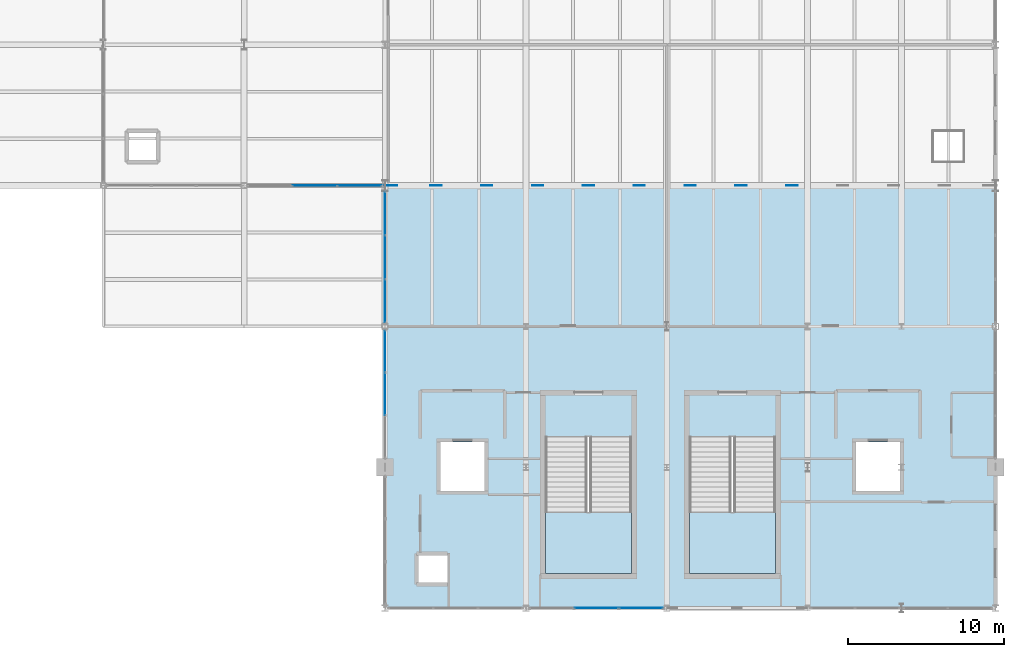
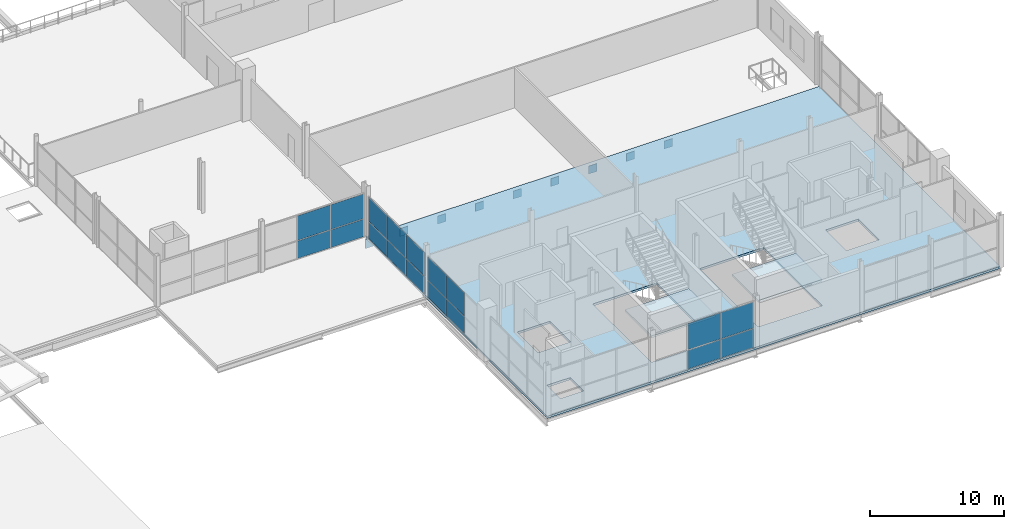
# One storey, part 41 of 69: 27 plates, 3 slabs, 6 elements without a shape of their own.
"""IFC4 building model written with IfcOpenShell, lengths in metres."""

from ifc_helpers import new_model, si_unit, direction, frame, origin, origin_2d, place, context, subcontext, project, spatial, polyline, rectangle, outline, extrude, material, layer, layer_set, type_object, element, aggregate, save


model = new_model("IFC4")

# Units and contexts
model_context = context("Model", 3, precision=1e-05, world=origin(), true_north=direction((0.0, 1.0)))
body_context = subcontext(model_context, "Body", "Model", "MODEL_VIEW")
ifc_project = project(units=[si_unit("LENGTHUNIT", "METRE"), si_unit("AREAUNIT", "SQUARE_METRE"), si_unit("VOLUMEUNIT", "CUBIC_METRE"), si_unit("PLANEANGLEUNIT", "RADIAN"), si_unit("MASSUNIT", "GRAM", prefix="KILO")], contexts=[model_context])

# Site, building, storey
site_placement = place(None, origin())
site = spatial("IfcSite", under=ifc_project, at=site_placement, CompositionType="ELEMENT")
building_placement = place(site_placement, origin())
building = spatial("IfcBuilding", under=site, at=building_placement, Name="Qamarlyn Nura Convention Centre", CompositionType="ELEMENT")
storey_placement = place(building_placement, frame((0.0, 0.0, 15.60009765625)))
storey = spatial("IfcBuildingStorey", under=building, at=storey_placement, Name="L03", CompositionType="ELEMENT", Elevation=15.60009765625)

# Curtain wall, plates
ifc_material_1 = material(Name="Double-silver low-E insulated glass", Category="glass")
ifc_layer_1 = layer(ifc_material_1, 0.179931640625, Name="CW-UNIT-119")
ifc_layer_set_1 = layer_set([ifc_layer_1], Name="Double-silver low-E insulated glass")
curtain_wall_type_1 = type_object("IfcCurtainWallType", Name="CW-UNIT-119", PredefinedType="NOTDEFINED", material=ifc_layer_set_1)
curtain_wall_1_placement = place(storey_placement, origin())
curtain_wall_1 = element("IfcCurtainWall", 1, at=curtain_wall_1_placement, inside=storey, type_object=curtain_wall_type_1, Name="L03 unitised curtain wall STH-2-1", PredefinedType="NOTDEFINED")
ifc_layer_2 = layer(ifc_material_1, 0.028076171875, Name="CWP-VIS-28")
ifc_layer_set_2 = layer_set([ifc_layer_2], Name="Double-silver low-E insulated glass")
plate_type_1 = type_object("IfcPlateType", Name="CWP-VIS-28", PredefinedType="CURTAIN_PANEL", material=ifc_layer_set_2)
plate_1_placement = place(storey_placement, frame((169.35986328125, 0.0, 0.06982421875), z_axis=(0.0, 0.0, 1.0), x_axis=(-1.0, 0.0, 0.0)))
plate_1 = element("IfcPlate", 2, at=plate_1_placement, type_object=plate_type_1, Name="CW119 panel 1.1", PredefinedType="CURTAIN_PANEL", context=body_context, shape_type="SweptSolid", body=[
    extrude(rectangle(XDim=2.76611328125, YDim=0.028076171875, at=origin_2d()), origin(), (0.0, 0.0, 1.0), 1.695068359375),
])
plate_2_placement = place(storey_placement, frame((169.35986328125, 0.0, 1.8349609375), z_axis=(0.0, 0.0, 1.0), x_axis=(-1.0, 0.0, 0.0)))
plate_2 = element("IfcPlate", 3, at=plate_2_placement, type_object=plate_type_1, Name="CW119 panel 1.2", PredefinedType="CURTAIN_PANEL", context=body_context, shape_type="SweptSolid", body=[
    extrude(rectangle(XDim=2.76611328125, YDim=0.028076171875, at=origin_2d()), origin(), (0.0, 0.0, 1.0), 2.3798828125),
])
plate_3_placement = place(storey_placement, frame((166.50634765625, 0.0, 0.06982421875), z_axis=(0.0, 0.0, 1.0), x_axis=(-1.0, 0.0, 0.0)))
plate_3 = element("IfcPlate", 4, at=plate_3_placement, type_object=plate_type_1, Name="CW119 panel 2.1", PredefinedType="CURTAIN_PANEL", context=body_context, shape_type="SweptSolid", body=[
    extrude(rectangle(XDim=2.80126953125, YDim=0.028076171875, at=origin_2d()), origin(), (0.0, 0.0, 1.0), 1.695068359375),
])
plate_4_placement = place(storey_placement, frame((166.50634765625, 0.0, 1.8349609375), z_axis=(0.0, 0.0, 1.0), x_axis=(-1.0, 0.0, 0.0)))
plate_4 = element("IfcPlate", 5, at=plate_4_placement, type_object=plate_type_1, Name="CW119 panel 2.2", PredefinedType="CURTAIN_PANEL", context=body_context, shape_type="SweptSolid", body=[
    extrude(rectangle(XDim=2.80126953125, YDim=0.028076171875, at=origin_2d()), origin(), (0.0, 0.0, 1.0), 2.3798828125),
])
aggregate(curtain_wall_1, [plate_1, plate_2, plate_3, plate_4])

ifc_layer_3 = layer(ifc_material_1, 0.179931640625, Name="CW-UNIT-122")
ifc_layer_set_3 = layer_set([ifc_layer_3], Name="Double-silver low-E insulated glass")
curtain_wall_type_2 = type_object("IfcCurtainWallType", Name="CW-UNIT-122", PredefinedType="NOTDEFINED", material=ifc_layer_set_3)
curtain_wall_2_placement = place(storey_placement, origin())
curtain_wall_2 = element("IfcCurtainWall", 6, at=curtain_wall_2_placement, inside=storey, type_object=curtain_wall_type_2, Name="L03 unitised curtain wall FCW-9-1", PredefinedType="NOTDEFINED")
plate_5_placement = place(storey_placement, frame((153.0, 13.675048828125, 0.06494140625), z_axis=(0.0, 0.0, 1.0), x_axis=(0.0, 1.0, 0.0)))
plate_5 = element("IfcPlate", 7, at=plate_5_placement, type_object=plate_type_1, Name="CW122 panel 2.1", PredefinedType="CURTAIN_PANEL", context=body_context, shape_type="SweptSolid", body=[
    extrude(rectangle(XDim=2.68505859375, YDim=0.028076171875, at=origin_2d()), origin(), (0.0, 0.0, 1.0), 1.50341796875),
])
plate_6_placement = place(storey_placement, frame((153.0, 13.675048828125, 1.63330078125), z_axis=(0.0, 0.0, 1.0), x_axis=(0.0, 1.0, 0.0)))
plate_6 = element("IfcPlate", 8, at=plate_6_placement, type_object=plate_type_1, Name="CW122 panel 2.2", PredefinedType="CURTAIN_PANEL", context=body_context, shape_type="SweptSolid", body=[
    extrude(rectangle(XDim=2.68505859375, YDim=0.028076171875, at=origin_2d()), origin(), (0.0, 0.0, 1.0), 2.113525390625),
])
plate_7_placement = place(storey_placement, frame((153.0, 16.40869140625, 0.06494140625), z_axis=(0.0, 0.0, 1.0), x_axis=(0.0, 1.0, 0.0)))
plate_7 = element("IfcPlate", 9, at=plate_7_placement, type_object=plate_type_1, Name="CW122 panel 3.1", PredefinedType="CURTAIN_PANEL", context=body_context, shape_type="SweptSolid", body=[
    extrude(rectangle(XDim=2.652587890625, YDim=0.028076171875, at=origin_2d()), origin(), (0.0, 0.0, 1.0), 1.50341796875),
])
plate_8_placement = place(storey_placement, frame((153.0, 16.40869140625, 1.63330078125), z_axis=(0.0, 0.0, 1.0), x_axis=(0.0, 1.0, 0.0)))
plate_8 = element("IfcPlate", 10, at=plate_8_placement, type_object=plate_type_1, Name="CW122 panel 3.2", PredefinedType="CURTAIN_PANEL", context=body_context, shape_type="SweptSolid", body=[
    extrude(rectangle(XDim=2.652587890625, YDim=0.028076171875, at=origin_2d()), origin(), (0.0, 0.0, 1.0), 2.113525390625),
])
aggregate(curtain_wall_2, [plate_5, plate_6, plate_7, plate_8])

ifc_layer_4 = layer(ifc_material_1, 0.179931640625, Name="CW-UNIT-126")
ifc_layer_set_4 = layer_set([ifc_layer_4], Name="Double-silver low-E insulated glass")
curtain_wall_type_3 = type_object("IfcCurtainWallType", Name="CW-UNIT-126", PredefinedType="NOTDEFINED", material=ifc_layer_set_4)
curtain_wall_3_placement = place(storey_placement, origin())
curtain_wall_3 = element("IfcCurtainWall", 11, at=curtain_wall_3_placement, inside=storey, type_object=curtain_wall_type_3, Name="L03 unitised curtain wall WSS-L03-1", PredefinedType="NOTDEFINED")
plate_9_placement = place(storey_placement, frame((151.3662109375, 27.0, 0.06005859375), z_axis=(0.0, 0.0, 1.0), x_axis=(-1.0, 0.0, 0.0)))
plate_9 = element("IfcPlate", 12, at=plate_9_placement, type_object=plate_type_1, Name="CW126 panel 1.1", PredefinedType="CURTAIN_PANEL", context=body_context, shape_type="SweptSolid", body=[
    extrude(rectangle(XDim=2.79248046875, YDim=0.028076171875, at=origin_2d()), origin(), (0.0, 0.0, 1.0), 1.595947265625),
])
plate_10_placement = place(storey_placement, frame((151.3662109375, 27.0, 1.7158203125), z_axis=(0.0, 0.0, 1.0), x_axis=(-1.0, 0.0, 0.0)))
plate_10 = element("IfcPlate", 13, at=plate_10_placement, type_object=plate_type_1, Name="CW126 panel 1.2", PredefinedType="CURTAIN_PANEL", context=body_context, shape_type="SweptSolid", body=[
    extrude(rectangle(XDim=2.79248046875, YDim=0.028076171875, at=origin_2d()), origin(), (0.0, 0.0, 1.0), 2.238037109375),
])
plate_11_placement = place(storey_placement, frame((148.498779296875, 27.0, 0.06005859375), z_axis=(0.0, 0.0, 1.0), x_axis=(-1.0, 0.0, 0.0)))
plate_11 = element("IfcPlate", 14, at=plate_11_placement, type_object=plate_type_1, Name="CW126 panel 2.1", PredefinedType="CURTAIN_PANEL", context=body_context, shape_type="SweptSolid", body=[
    extrude(rectangle(XDim=2.822509765625, YDim=0.028076171875, at=origin_2d()), origin(), (0.0, 0.0, 1.0), 1.595947265625),
])
plate_12_placement = place(storey_placement, frame((148.498779296875, 27.0, 1.7158203125), z_axis=(0.0, 0.0, 1.0), x_axis=(-1.0, 0.0, 0.0)))
plate_12 = element("IfcPlate", 15, at=plate_12_placement, type_object=plate_type_1, Name="CW126 panel 2.2", PredefinedType="CURTAIN_PANEL", context=body_context, shape_type="SweptSolid", body=[
    extrude(rectangle(XDim=2.822509765625, YDim=0.028076171875, at=origin_2d()), origin(), (0.0, 0.0, 1.0), 2.238037109375),
])
aggregate(curtain_wall_3, [plate_9, plate_10, plate_11, plate_12])

ifc_layer_5 = layer(ifc_material_1, 0.179931640625, Name="CW-UNIT-123")
ifc_layer_set_5 = layer_set([ifc_layer_5], Name="Double-silver low-E insulated glass")
curtain_wall_type_4 = type_object("IfcCurtainWallType", Name="CW-UNIT-123", PredefinedType="NOTDEFINED", material=ifc_layer_set_5)
curtain_wall_4_placement = place(storey_placement, origin())
curtain_wall_4 = element("IfcCurtainWall", 16, at=curtain_wall_4_placement, inside=storey, type_object=curtain_wall_type_4, Name="L03 unitised curtain wall FCW-18-1", PredefinedType="NOTDEFINED")
ifc_layer_6 = layer(ifc_material_1, 0.031982421875, Name="CWP-VIS-32")
ifc_layer_set_6 = layer_set([ifc_layer_6], Name="Double-silver low-E insulated glass")
plate_type_2 = type_object("IfcPlateType", Name="CWP-VIS-32", PredefinedType="CURTAIN_PANEL", material=ifc_layer_set_6)
plate_13_placement = place(storey_placement, frame((153.0, 19.623779296875, 0.059814453125), z_axis=(0.0, 0.0, 1.0), x_axis=(0.0, 1.0, 0.0)))
plate_13 = element("IfcPlate", 17, at=plate_13_placement, type_object=plate_type_2, Name="CW123 panel 1.1", PredefinedType="CURTAIN_PANEL", context=body_context, shape_type="SweptSolid", body=[
    extrude(rectangle(XDim=2.7275390625, YDim=0.031982421875, at=origin_2d()), origin(), (0.0, 0.0, 1.0), 1.5439453125),
])
plate_14_placement = place(storey_placement, frame((153.0, 19.623779296875, 1.663818359375), z_axis=(0.0, 0.0, 1.0), x_axis=(0.0, 1.0, 0.0)))
plate_14 = element("IfcPlate", 18, at=plate_14_placement, type_object=plate_type_2, Name="CW123 panel 1.2", PredefinedType="CURTAIN_PANEL", context=body_context, shape_type="SweptSolid", body=[
    extrude(rectangle(XDim=2.7275390625, YDim=0.031982421875, at=origin_2d()), origin(), (0.0, 0.0, 1.0), 2.166015625),
])
plate_15_placement = place(storey_placement, frame((153.0, 22.42626953125, 0.059814453125), z_axis=(0.0, 0.0, 1.0), x_axis=(0.0, 1.0, 0.0)))
plate_15 = element("IfcPlate", 19, at=plate_15_placement, type_object=plate_type_2, Name="CW123 panel 2.1", PredefinedType="CURTAIN_PANEL", context=body_context, shape_type="SweptSolid", body=[
    extrude(rectangle(XDim=2.757568359375, YDim=0.031982421875, at=origin_2d()), origin(), (0.0, 0.0, 1.0), 1.5439453125),
])
plate_16_placement = place(storey_placement, frame((153.0, 22.42626953125, 1.663818359375), z_axis=(0.0, 0.0, 1.0), x_axis=(0.0, 1.0, 0.0)))
plate_16 = element("IfcPlate", 20, at=plate_16_placement, type_object=plate_type_2, Name="CW123 panel 2.2", PredefinedType="CURTAIN_PANEL", context=body_context, shape_type="SweptSolid", body=[
    extrude(rectangle(XDim=2.757568359375, YDim=0.031982421875, at=origin_2d()), origin(), (0.0, 0.0, 1.0), 2.166015625),
])
plate_17_placement = place(storey_placement, frame((153.0, 25.228759765625, 0.059814453125), z_axis=(0.0, 0.0, 1.0), x_axis=(0.0, 1.0, 0.0)))
plate_17 = element("IfcPlate", 21, at=plate_17_placement, type_object=plate_type_2, Name="CW123 panel 3.1", PredefinedType="CURTAIN_PANEL", context=body_context, shape_type="SweptSolid", body=[
    extrude(rectangle(XDim=2.7275390625, YDim=0.031982421875, at=origin_2d()), origin(), (0.0, 0.0, 1.0), 1.5439453125),
])
plate_18_placement = place(storey_placement, frame((153.0, 25.228759765625, 1.663818359375), z_axis=(0.0, 0.0, 1.0), x_axis=(0.0, 1.0, 0.0)))
plate_18 = element("IfcPlate", 22, at=plate_18_placement, type_object=plate_type_2, Name="CW123 panel 3.2", PredefinedType="CURTAIN_PANEL", context=body_context, shape_type="SweptSolid", body=[
    extrude(rectangle(XDim=2.7275390625, YDim=0.031982421875, at=origin_2d()), origin(), (0.0, 0.0, 1.0), 2.166015625),
])
aggregate(curtain_wall_4, [plate_13, plate_14, plate_15, plate_16, plate_17, plate_18])

# Plates
ifc_material_2 = material(Name="Structural steel ASTM A572 Grade 50", Category="steel")
ifc_layer_7 = layer(ifc_material_2, 0.044921875, Name="GP-TN1")
ifc_layer_set_7 = layer_set([ifc_layer_7], Name="Structural steel ASTM A572 Grade 50")
plate_type_3 = type_object("IfcPlateType", Name="GP-TN1", PredefinedType="USERDEFINED", material=ifc_layer_set_7)
for number, where, z_axis, x_axis, name in (
    (23, (156.25, 27.0, -1.01611328125), (0.0, 0.0, 1.0), (1.0, 0.0, 0.0), "Transfer truss apex gusset plate D-P1T"),
    (24, (162.75, 27.0, -1.01611328125), (0.0, 0.0, 1.0), (1.0, 0.0, 0.0), "Transfer truss apex gusset plate D-P2T"),
    (25, (169.25, 27.0, -1.01611328125), (0.0, 0.0, 1.0), (1.0, 0.0, 0.0), "Transfer truss apex gusset plate D-P3T"),
    (26, (175.75, 27.0, -1.01611328125), (0.0, 0.0, 1.0), (1.0, 0.0, 0.0), "Transfer truss apex gusset plate D-P4T"),
    (27, (159.5, 27.0, -1.01611328125), (0.0, 0.0, 1.0), (1.0, 0.0, 0.0), "Transfer truss hanger top gusset plate D-V1T"),
    (28, (166.0, 27.0, -1.01611328125), (0.0, 0.0, 1.0), (1.0, 0.0, 0.0), "Transfer truss hanger top gusset plate D-V2T"),
    (29, (172.5, 27.0, -1.01611328125), (0.0, 0.0, 1.0), (1.0, 0.0, 0.0), "Transfer truss hanger top gusset plate D-V3T"),
    (30, (179.0, 27.0, -1.01611328125), (0.0, 0.0, 1.0), (1.0, 0.0, 0.0), "Transfer truss hanger top gusset plate D-V4T"),
):
    element("IfcPlate", number, at=place(storey_placement, frame(where, z_axis=z_axis, x_axis=x_axis)), inside=storey, type_object=plate_type_3, Name=name, ObjectType="GUSSET PLATE", PredefinedType="USERDEFINED", context=body_context, shape_type="SweptSolid", body=[
        extrude(rectangle(XDim=0.719970703125, YDim=0.044921875, at=origin_2d()), origin(), (0.0, 0.0, 1.0), 0.719970703125),
    ])
plate_19_placement = place(storey_placement, frame((153.35009765625, 27.0, -1.0810546875), z_axis=(0.0, 0.0, 1.0), x_axis=(1.0, 0.0, 0.0)))
element("IfcPlate", 31, at=plate_19_placement, inside=storey, type_object=plate_type_3, Name="Transfer structure node gusset plate D-WT", ObjectType="GUSSET PLATE", PredefinedType="USERDEFINED", context=body_context, shape_type="SweptSolid", body=[
    extrude(rectangle(XDim=0.85009765625, YDim=0.044921875, at=origin_2d()), origin(), (0.0, 0.0, 1.0), 0.85009765625),
])

# Slab
ifc_material_3 = material(Name="Concrete C40/50", Category="concrete")
ifc_layer_8 = layer(ifc_material_3, 0.199951171875, Name="SL-L03")
ifc_layer_set_8 = layer_set([ifc_layer_8], Name="Concrete C40/50")
slab_type_1 = type_object("IfcSlabType", Name="SL-L03", PredefinedType="FLOOR", material=ifc_layer_set_8)
slab_1_placement = place(storey_placement, frame((0.0, 0.0, -0.2001953125)))
element("IfcSlab", 32, at=slab_1_placement, inside=storey, type_object=slab_type_1, Name="L03 floor slab L03-CF1", PredefinedType="FLOOR", context=body_context, shape_type="SweptSolid", body=[
    extrude(outline(polyline([(153.0, 27.0), (192.0, 27.0), (192.0, 0.0), (153.0, 0.0), (153.0, 27.0)]), holes=[polyline([(155.0, 3.5), (155.0, 1.5), (157.0, 1.5), (157.0, 3.5), (155.0, 3.5)]), polyline([(163.25, 2.199951171875), (168.75, 2.199951171875), (168.75, 10.93994140625), (163.25, 10.93994140625), (163.25, 2.199951171875)]), polyline([(159.35009765625, 10.60009765625), (156.550048828125, 10.60009765625), (156.550048828125, 7.5), (159.35009765625, 7.5), (159.35009765625, 10.60009765625)]), polyline([(172.449951171875, 2.199951171875), (177.949951171875, 2.199951171875), (177.949951171875, 10.93994140625), (172.449951171875, 10.93994140625), (172.449951171875, 2.199951171875)]), polyline([(185.89990234375, 10.60009765625), (183.10009765625, 10.60009765625), (183.10009765625, 7.5), (185.89990234375, 7.5), (185.89990234375, 10.60009765625)])]), origin(), (0.0, 0.0, 1.0), 0.2001953125),
])

# Stair, slab
stair_type = type_object("IfcStairType", Name="STAIR-EXIT-48", PredefinedType="HALF_TURN_STAIR", material=ifc_material_3)
stair_1_placement = place(storey_placement, origin())
stair_1 = element("IfcStair", 33, at=stair_1_placement, inside=storey, type_object=stair_type, Name="L03 Enclosed exit stair ST-09", PredefinedType="HALF_TURN_STAIR")
ifc_layer_9 = layer(ifc_material_3, 0.199951171875, Name="SL-LAND-200")
ifc_layer_set_9 = layer_set([ifc_layer_9], Name="Concrete C40/50")
slab_type_2 = type_object("IfcSlabType", Name="SL-LAND-200", PredefinedType="LANDING", material=ifc_layer_set_9)
slab_2_placement = place(storey_placement, frame((0.0, 0.0, 2.199951171875)))
slab_2 = element("IfcSlab", 34, at=slab_2_placement, type_object=slab_type_2, Name="ST-09 landing 1", PredefinedType="LANDING", context=body_context, shape_type="SweptSolid", body=[
    extrude(outline(polyline([(163.25, 6.139892578125), (163.25, 2.199951171875), (168.75, 2.199951171875), (168.75, 6.139892578125), (163.25, 6.139892578125)])), origin(), (0.0, 0.0, 1.0), 0.199951171875),
])
aggregate(stair_1, [slab_2])

stair_2_placement = place(storey_placement, origin())
stair_2 = element("IfcStair", 35, at=stair_2_placement, inside=storey, type_object=stair_type, Name="L03 Enclosed exit stair ST-10", PredefinedType="HALF_TURN_STAIR")
slab_3_placement = place(storey_placement, frame((0.0, 0.0, 2.199951171875)))
slab_3 = element("IfcSlab", 36, at=slab_3_placement, type_object=slab_type_2, Name="ST-10 landing 1", PredefinedType="LANDING", context=body_context, shape_type="SweptSolid", body=[
    extrude(outline(polyline([(172.449951171875, 6.139892578125), (172.449951171875, 2.199951171875), (177.949951171875, 2.199951171875), (177.949951171875, 6.139892578125), (172.449951171875, 6.139892578125)])), origin(), (0.0, 0.0, 1.0), 0.199951171875),
])
aggregate(stair_2, [slab_3])

save(model, "model.ifc")
